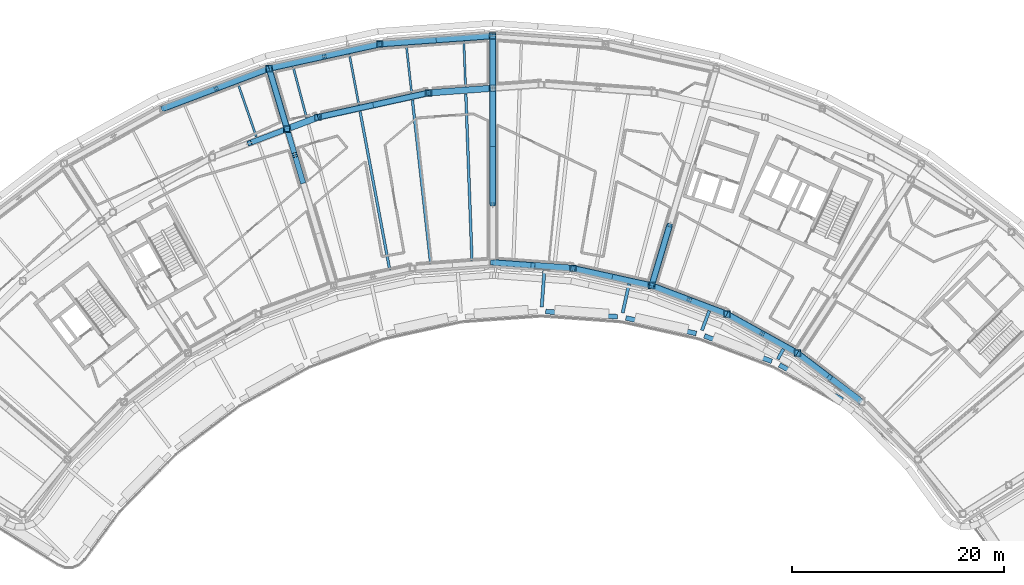
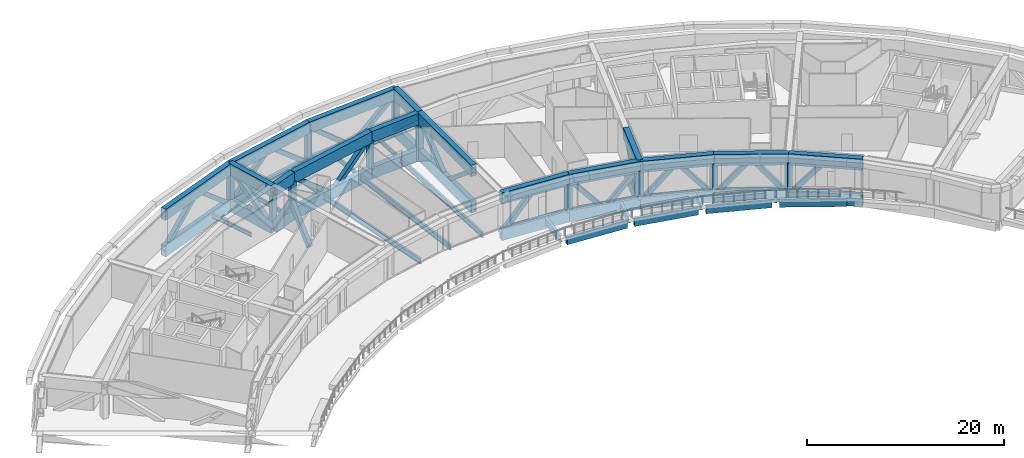
# One storey, part 3 of 24: 46 beams, 35 members.
"""IFC4 building model written with IfcOpenShell, lengths in metres."""

from ifc_helpers import new_model, si_unit, direction, frame, origin, origin_2d, place, context, subcontext, project, spatial, hollow_rectangle, i_section, extrude, material, material_profile, profile_set, type_object, element, save


model = new_model("IFC4")

# Units and contexts
model_context = context("Model", 3, precision=1e-05, world=origin(), true_north=direction((0.0, 1.0)))
body_context = subcontext(model_context, "Body", "Model", "MODEL_VIEW")
ifc_project = project(units=[si_unit("LENGTHUNIT", "METRE"), si_unit("AREAUNIT", "SQUARE_METRE"), si_unit("VOLUMEUNIT", "CUBIC_METRE"), si_unit("PLANEANGLEUNIT", "RADIAN"), si_unit("MASSUNIT", "GRAM", prefix="KILO")], contexts=[model_context])

# Site, building, storey
site_placement = place(None, origin())
site = spatial("IfcSite", under=ifc_project, at=site_placement, CompositionType="ELEMENT")
building_placement = place(site_placement, origin())
building = spatial("IfcBuilding", under=site, at=building_placement, Name="Tuul Gate Civic Tower", CompositionType="ELEMENT")
storey_placement = place(building_placement, frame((0.0, 0.0, 315.199951171875)))
storey = spatial("IfcBuildingStorey", under=building, at=storey_placement, Name="Plant and refuge floor 7", CompositionType="ELEMENT", Elevation=315.199951171875)

# Beams
ifc_material_1 = material(Name="Steel S355", Category="steel")
ifc_material_profile_1 = material_profile(ifc_material_1, i_section(OverallWidth=0.199951171875, OverallDepth=0.5, WebThickness=0.010009765625, FlangeThickness=0.01611328125, at=origin_2d()), Name="PG500x200x10x16")
ifc_profile_set_1 = profile_set([ifc_material_profile_1], Name="Steel S355")
beam_type_1 = type_object("IfcBeamType", Name="STR-FLOOR BEAM-PG500x200x10x16", PredefinedType="BEAM", material=ifc_profile_set_1)
beam_1_placement = place(storey_placement, frame((-0.367431640625, 9.064208984375, -0.64990234375), z_axis=(-0.037035203855, 0.999313961513, 0.0), x_axis=(-0.999313961513, -0.037035203855, 0.0)))
element("IfcBeam", 1, at=beam_1_placement, inside=storey, type_object=beam_type_1, Name="Floor beam", PredefinedType="BEAM", context=body_context, shape_type="SweptSolid", body=[
    extrude(i_section(OverallWidth=0.199951171875, OverallDepth=0.5, WebThickness=0.010009765625, FlangeThickness=0.01611328125, at=origin_2d()), origin(), (0.0, 0.0, 1.0), 4.218994140625),
])
beam_2_placement = place(storey_placement, frame((-5.448486328125, 8.468505859375, -0.64990234375), z_axis=(-0.11075092853, 0.993848193554, 0.0), x_axis=(-0.993848193554, -0.11075092853, 0.0)))
element("IfcBeam", 2, at=beam_2_placement, inside=storey, type_object=beam_type_1, Name="Floor beam", PredefinedType="BEAM", context=body_context, shape_type="SweptSolid", body=[
    extrude(i_section(OverallWidth=0.199951171875, OverallDepth=0.5, WebThickness=0.010009765625, FlangeThickness=0.01611328125, at=origin_2d()), origin(), (0.0, 0.0, 1.0), 4.4462890625),
])
beam_3_placement = place(storey_placement, frame((-10.430908203125, 7.370361328125, -0.64990234375), z_axis=(-0.183970898908, 0.982931690584, 0.0), x_axis=(-0.982931690584, -0.183970898908, 0.0)))
element("IfcBeam", 3, at=beam_3_placement, inside=storey, type_object=beam_type_1, Name="Floor beam", PredefinedType="BEAM", context=body_context, shape_type="SweptSolid", body=[
    extrude(i_section(OverallWidth=0.199951171875, OverallDepth=0.5, WebThickness=0.010009765625, FlangeThickness=0.01611328125, at=origin_2d()), origin(), (0.0, 0.0, 1.0), 4.780029296875),
])
beam_4_placement = place(storey_placement, frame((-15.351806640625, 6.134033203125, -0.64990234375), z_axis=(-0.256155231032, 0.966635659188, 0.0), x_axis=(-0.966635659188, -0.256155231032, 0.0)))
element("IfcBeam", 4, at=beam_4_placement, inside=storey, type_object=beam_type_1, Name="Floor beam", PredefinedType="BEAM", context=body_context, shape_type="SweptSolid", body=[
    extrude(i_section(OverallWidth=0.199951171875, OverallDepth=0.5, WebThickness=0.010009765625, FlangeThickness=0.01611328125, at=origin_2d()), origin(), (0.0, 0.0, 1.0), 4.930419921875),
])
beam_5_placement = place(storey_placement, frame((-20.090576171875, 4.341796875, -0.64990234375), z_axis=(-0.326940517435, 0.94504491854, 0.0), x_axis=(-0.94504491854, -0.326940517435, 0.0)))
element("IfcBeam", 5, at=beam_5_placement, inside=storey, type_object=beam_type_1, Name="Floor beam", PredefinedType="BEAM", context=body_context, shape_type="SweptSolid", body=[
    extrude(i_section(OverallWidth=0.199951171875, OverallDepth=0.5, WebThickness=0.010009765625, FlangeThickness=0.01611328125, at=origin_2d()), origin(), (0.0, 0.0, 1.0), 5.227294921875),
])
ifc_material_2 = material(Name="Steel S355", Category="steel")
ifc_material_profile_2 = material_profile(ifc_material_2, i_section(OverallWidth=0.25, OverallDepth=0.64990234375, WebThickness=0.011962890625, FlangeThickness=0.02001953125, at=origin_2d()), Name="PG650x250x12x20")
ifc_profile_set_2 = profile_set([ifc_material_profile_2], Name="Steel S355")
beam_type_2 = type_object("IfcBeamType", Name="STR-FLOOR BEAM-PG650x250x12x20", PredefinedType="BEAM", material=ifc_profile_set_2)
beam_6_placement = place(storey_placement, frame((0.239013671875, -7.318603515625, -0.724853515625), z_axis=(-0.03699382358, 0.999315494234, 0.0), x_axis=(-0.999315494234, -0.03699382358, 0.0)))
element("IfcBeam", 6, at=beam_6_placement, inside=storey, type_object=beam_type_2, Name="Floor beam", PredefinedType="BEAM", context=body_context, shape_type="SweptSolid", body=[
    extrude(i_section(OverallWidth=0.25, OverallDepth=0.64990234375, WebThickness=0.011962890625, FlangeThickness=0.02001953125, at=origin_2d()), origin(), (0.0, 0.0, 1.0), 15.693603515625),
])
beam_7_placement = place(storey_placement, frame((-3.656982421875, -7.60107421875, -0.724853515625), z_axis=(-0.11078844396, 0.99384401225, 0.0), x_axis=(-0.99384401225, -0.11078844396, 0.0)))
element("IfcBeam", 7, at=beam_7_placement, inside=storey, type_object=beam_type_2, Name="Floor beam", PredefinedType="BEAM", context=body_context, shape_type="SweptSolid", body=[
    extrude(i_section(OverallWidth=0.25, OverallDepth=0.64990234375, WebThickness=0.011962890625, FlangeThickness=0.02001953125, at=origin_2d()), origin(), (0.0, 0.0, 1.0), 15.46533203125),
])
beam_8_placement = place(storey_placement, frame((-7.5185546875, -8.189697265625, -0.724853515625), z_axis=(-0.183967994769, 0.982932234134, 0.0), x_axis=(-0.982932234134, -0.183967994769, 0.0)))
element("IfcBeam", 8, at=beam_8_placement, inside=storey, type_object=beam_type_2, Name="Floor beam", PredefinedType="BEAM", context=body_context, shape_type="SweptSolid", body=[
    extrude(i_section(OverallWidth=0.25, OverallDepth=0.64990234375, WebThickness=0.011962890625, FlangeThickness=0.02001953125, at=origin_2d()), origin(), (0.0, 0.0, 1.0), 15.130126953125),
])
ifc_material_3 = material(Name="Steel S355", Category="steel")
ifc_material_profile_3 = material_profile(ifc_material_3, i_section(OverallWidth=0.300048828125, OverallDepth=0.800048828125, WebThickness=0.013916015625, FlangeThickness=0.02490234375, at=origin_2d()), Name="PG800x300x14x25")
ifc_profile_set_3 = profile_set([ifc_material_profile_3], Name="Steel S355")
beam_type_3 = type_object("IfcBeamType", Name="STR-FLOOR BEAM-PG800x300x14x25", PredefinedType="BEAM", material=ifc_profile_set_3)
beam_9_placement = place(storey_placement, frame((6.81689453125, -11.72509765625, -0.800048828125), z_axis=(0.072311918257, 0.997382066451, 0.0), x_axis=(-0.997382066451, 0.072311918257, 0.0)))
element("IfcBeam", 9, at=beam_9_placement, inside=storey, type_object=beam_type_3, Name="Terrace beam", PredefinedType="BEAM", context=body_context, shape_type="SweptSolid", body=[
    extrude(i_section(OverallWidth=0.300048828125, OverallDepth=0.800048828125, WebThickness=0.013916015625, FlangeThickness=0.02490234375, at=origin_2d()), origin(), (0.0, 0.0, 1.0), 3.5517578125),
])
beam_10_placement = place(storey_placement, frame((14.446044921875, -12.282470703125, -0.800048828125), z_axis=(0.215111285855, 0.976589542591, 0.0), x_axis=(-0.976589542591, 0.215111285855, 0.0)))
element("IfcBeam", 10, at=beam_10_placement, inside=storey, type_object=beam_type_3, Name="Terrace beam", PredefinedType="BEAM", context=body_context, shape_type="SweptSolid", body=[
    extrude(i_section(OverallWidth=0.300048828125, OverallDepth=0.800048828125, WebThickness=0.013916015625, FlangeThickness=0.02490234375, at=origin_2d()), origin(), (0.0, 0.0, 1.0), 2.7998046875),
])
beam_11_placement = place(storey_placement, frame((21.91552734375, -13.932861328125, -0.800048828125), z_axis=(0.353792658171, 0.935323877074, 0.0), x_axis=(-0.935323877074, 0.353792658171, 0.0)))
element("IfcBeam", 11, at=beam_11_placement, inside=storey, type_object=beam_type_3, Name="Terrace beam", PredefinedType="BEAM", context=body_context, shape_type="SweptSolid", body=[
    extrude(i_section(OverallWidth=0.300048828125, OverallDepth=0.800048828125, WebThickness=0.013916015625, FlangeThickness=0.02490234375, at=origin_2d()), origin(), (0.0, 0.0, 1.0), 1.9736328125),
])
beam_12_placement = place(storey_placement, frame((29.06884765625, -16.64208984375, -0.800048828125), z_axis=(0.484731454546, 0.874663030528, 0.0), x_axis=(-0.874663030528, 0.484731454546, 0.0)))
element("IfcBeam", 12, at=beam_12_placement, inside=storey, type_object=beam_type_3, Name="Terrace beam", PredefinedType="BEAM", context=body_context, shape_type="SweptSolid", body=[
    extrude(i_section(OverallWidth=0.300048828125, OverallDepth=0.800048828125, WebThickness=0.013916015625, FlangeThickness=0.02490234375, at=origin_2d()), origin(), (0.0, 0.0, 1.0), 1.092041015625),
])
ifc_material_4 = material(Name="Steel S355", Category="steel")
ifc_material_profile_4 = material_profile(ifc_material_4, hollow_rectangle(XDim=0.449951171875, YDim=0.89990234375, WallThickness=0.02490234375, at=origin_2d()), Name="BOX900x450x25")
ifc_profile_set_4 = profile_set([ifc_material_profile_4], Name="Steel S355")
beam_type_4 = type_object("IfcBeamType", Name="STR-SPANDREL BEAM-BOX900x450x25", PredefinedType="BEAM", material=ifc_profile_set_4)
for number, where, z_axis, x_axis, name in (
    (13, (7.18701171875, -12.15283203125, -0.849853515625), (0.997381114382, -0.072325048733, 0.0), (0.072325048733, 0.997381114382, 0.0), "Terrace edge beam"),
    (14, (14.750732421875, -12.759033203125, -0.849853515625), (0.976559454542, -0.215247837958, 0.0), (0.215247837958, 0.976559454542, 0.0), "Terrace edge beam"),
):
    element("IfcBeam", number, at=place(storey_placement, frame(where, z_axis=z_axis, x_axis=x_axis)), inside=storey, type_object=beam_type_4, Name=name, PredefinedType="BEAM", context=body_context, shape_type="SweptSolid", body=[
        extrude(hollow_rectangle(XDim=0.449951171875, YDim=0.89990234375, WallThickness=0.02490234375, at=origin_2d()), origin(), (0.0, 0.0, 1.0), 6.791748046875),
    ])
for number, where, z_axis, x_axis, name in (
    (15, (22.148193359375, -14.448486328125, -0.849853515625), (0.935362449754, -0.353690666531, 0.0), (0.353690666531, 0.935362449754, 0.0), "Terrace edge beam"),
    (16, (29.224853515625, -17.185791015625, -0.849853515625), (0.87464856826, -0.484757549751, 0.0), (0.484757549751, 0.87464856826, 0.0), "Terrace edge beam"),
):
    element("IfcBeam", number, at=place(storey_placement, frame(where, z_axis=z_axis, x_axis=x_axis)), inside=storey, type_object=beam_type_4, Name=name, PredefinedType="BEAM", context=body_context, shape_type="SweptSolid", body=[
        extrude(hollow_rectangle(XDim=0.449951171875, YDim=0.89990234375, WallThickness=0.02490234375, at=origin_2d()), origin(), (0.0, 0.0, 1.0), 6.79150390625),
    ])
ifc_material_5 = material(Name="Steel S460", Category="steel")
ifc_material_profile_5 = material_profile(ifc_material_5, hollow_rectangle(XDim=0.60009765625, YDim=1.39990234375, WallThickness=0.031982421875, at=origin_2d()), Name="BOX1400x600x32")
ifc_profile_set_5 = profile_set([ifc_material_profile_5], Name="Steel S460")
beam_type_5 = type_object("IfcBeamType", Name="STR-TRANSFER TRUSS CHORD-BOX1400x600x32", PredefinedType="BEAM", material=ifc_profile_set_5)
beam_13_placement = place(storey_placement, frame((2.19189453125, 13.827880859375, -1.099853515625), z_axis=(0.0, -1.0, 0.0), x_axis=(1.0, 0.0, 0.0)))
element("IfcBeam", 17, at=beam_13_placement, inside=storey, type_object=beam_type_5, Name="Radial truss bottom chord", PredefinedType="BEAM", context=body_context, shape_type="SweptSolid", body=[
    extrude(hollow_rectangle(XDim=0.60009765625, YDim=1.39990234375, WallThickness=0.031982421875, at=origin_2d()), origin(), (0.0, 0.0, 1.0), 4.928955078125),
])
beam_14_placement = place(storey_placement, frame((2.19189453125, 8.89892578125, -1.099853515625), z_axis=(0.0, -1.0, 0.0), x_axis=(1.0, 0.0, 0.0)))
element("IfcBeam", 18, at=beam_14_placement, inside=storey, type_object=beam_type_5, Name="Radial truss bottom chord", PredefinedType="BEAM", context=body_context, shape_type="SweptSolid", body=[
    extrude(hollow_rectangle(XDim=0.60009765625, YDim=1.39990234375, WallThickness=0.031982421875, at=origin_2d()), origin(), (0.0, 0.0, 1.0), 10.951416015625),
])
beam_15_placement = place(storey_placement, frame((2.19189453125, 13.827880859375, 3.400146484375), z_axis=(0.0, -1.0, 0.0), x_axis=(1.0, 0.0, 0.0)))
element("IfcBeam", 19, at=beam_15_placement, inside=storey, type_object=beam_type_5, Name="Radial truss top chord", PredefinedType="BEAM", context=body_context, shape_type="SweptSolid", body=[
    extrude(hollow_rectangle(XDim=0.60009765625, YDim=1.39990234375, WallThickness=0.031982421875, at=origin_2d()), origin(), (0.0, 0.0, 1.0), 4.928955078125),
])
beam_16_placement = place(storey_placement, frame((2.19189453125, 8.89892578125, 3.400146484375), z_axis=(0.0, -1.0, 0.0), x_axis=(1.0, 0.0, 0.0)))
element("IfcBeam", 20, at=beam_16_placement, inside=storey, type_object=beam_type_5, Name="Radial truss top chord", PredefinedType="BEAM", context=body_context, shape_type="SweptSolid", body=[
    extrude(hollow_rectangle(XDim=0.60009765625, YDim=1.39990234375, WallThickness=0.031982421875, at=origin_2d()), origin(), (0.0, 0.0, 1.0), 10.951416015625),
])
for number, where, z_axis, x_axis, name in (
    (21, (-18.885009765625, 10.758056640625, -1.099853515625), (0.2852243799, -0.95846077286, 0.0), (0.95846077286, 0.2852243799, 0.0), "Radial truss bottom chord"),
    (22, (-18.885009765625, 10.758056640625, 3.400146484375), (0.2852243799, -0.95846077286, 0.0), (0.95846077286, 0.2852243799, 0.0), "Radial truss top chord"),
):
    element("IfcBeam", number, at=place(storey_placement, frame(where, z_axis=z_axis, x_axis=x_axis)), inside=storey, type_object=beam_type_5, Name=name, PredefinedType="BEAM", context=body_context, shape_type="SweptSolid", body=[
        extrude(hollow_rectangle(XDim=0.60009765625, YDim=1.39990234375, WallThickness=0.031982421875, at=origin_2d()), origin(), (0.0, 0.0, 1.0), 5.9404296875),
    ])
for number, where, z_axis, x_axis, name in (
    (23, (18.874755859375, -4.00830078125, -1.099853515625), (-0.28523115362, -0.95845875707, 0.0), (0.95845875707, -0.28523115362, 0.0), "Radial truss bottom chord"),
    (24, (18.874755859375, -4.00830078125, 3.400146484375), (-0.28523115362, -0.95845875707, 0.0), (0.95845875707, -0.28523115362, 0.0), "Radial truss top chord"),
):
    element("IfcBeam", number, at=place(storey_placement, frame(where, z_axis=z_axis, x_axis=x_axis)), inside=storey, type_object=beam_type_5, Name=name, PredefinedType="BEAM", context=body_context, shape_type="SweptSolid", body=[
        extrude(hollow_rectangle(XDim=0.60009765625, YDim=1.39990234375, WallThickness=0.031982421875, at=origin_2d()), origin(), (0.0, 0.0, 1.0), 5.94873046875),
    ])
for number, where, z_axis, x_axis, name in (
    (25, (-14.2880859375, 6.162109375, -1.099853515625), (-0.935333785518, -0.353766462046, 0.0), (0.353766462046, -0.935333785518, 0.0), "Belt truss bottom chord"),
    (26, (-14.2880859375, 6.162109375, 3.400146484375), (-0.935333785518, -0.353766462046, 0.0), (0.353766462046, -0.935333785518, 0.0), "Belt truss top chord"),
):
    element("IfcBeam", number, at=place(storey_placement, frame(where, z_axis=z_axis, x_axis=x_axis)), inside=storey, type_object=beam_type_5, Name=name, PredefinedType="BEAM", context=body_context, shape_type="SweptSolid", body=[
        extrude(hollow_rectangle(XDim=0.60009765625, YDim=1.39990234375, WallThickness=0.031982421875, at=origin_2d()), origin(), (0.0, 0.0, 1.0), 2.802490234375),
    ])
for number, where, z_axis, x_axis, name in (
    (27, (-8.45703125, 13.055908203125, -1.099853515625), (-0.9765717726, -0.21519194446, 0.0), (0.21519194446, -0.9765717726, 0.0), "Belt truss bottom chord"),
    (28, (-8.45703125, 13.055908203125, 3.400146484375), (-0.9765717726, -0.21519194446, 0.0), (0.21519194446, -0.9765717726, 0.0), "Belt truss top chord"),
):
    element("IfcBeam", number, at=place(storey_placement, frame(where, z_axis=z_axis, x_axis=x_axis)), inside=storey, type_object=beam_type_5, Name=name, PredefinedType="BEAM", context=body_context, shape_type="SweptSolid", body=[
        extrude(hollow_rectangle(XDim=0.60009765625, YDim=1.39990234375, WallThickness=0.031982421875, at=origin_2d()), origin(), (0.0, 0.0, 1.0), 10.67822265625),
    ])
for number, where, z_axis, x_axis, name in (
    (29, (-3.861083984375, 8.4599609375, -1.099853515625), (-0.976567537007, -0.215211165288, 0.0), (0.215211165288, -0.976567537007, 0.0), "Belt truss bottom chord"),
    (30, (-3.861083984375, 8.4599609375, 3.400146484375), (-0.976567537007, -0.215211165288, 0.0), (0.215211165288, -0.976567537007, 0.0), "Belt truss top chord"),
):
    element("IfcBeam", number, at=place(storey_placement, frame(where, z_axis=z_axis, x_axis=x_axis)), inside=storey, type_object=beam_type_5, Name=name, PredefinedType="BEAM", context=body_context, shape_type="SweptSolid", body=[
        extrude(hollow_rectangle(XDim=0.60009765625, YDim=1.39990234375, WallThickness=0.031982421875, at=origin_2d()), origin(), (0.0, 0.0, 1.0), 10.67724609375),
    ])
for number, where, z_axis, x_axis, name in (
    (31, (-18.885009765625, 10.758056640625, -1.099853515625), (-0.935371936658, -0.353665576657, 0.0), (0.353665576657, -0.935371936658, 0.0), "Belt truss bottom chord"),
    (32, (-18.885009765625, 10.758056640625, 3.400146484375), (-0.935371936658, -0.353665576657, 0.0), (0.353665576657, -0.935371936658, 0.0), "Belt truss top chord"),
):
    element("IfcBeam", number, at=place(storey_placement, frame(where, z_axis=z_axis, x_axis=x_axis)), inside=storey, type_object=beam_type_5, Name=name, PredefinedType="BEAM", context=body_context, shape_type="SweptSolid", body=[
        extrude(hollow_rectangle(XDim=0.60009765625, YDim=1.39990234375, WallThickness=0.031982421875, at=origin_2d()), origin(), (0.0, 0.0, 1.0), 10.677001953125),
    ])
for number, where, z_axis, x_axis, name in (
    (33, (2.19189453125, 13.827880859375, -1.099853515625), (-0.997382693351, -0.072303271044, 0.0), (0.072303271044, -0.997382693351, 0.0), "Belt truss bottom chord"),
    (34, (2.19189453125, 13.827880859375, 3.400146484375), (-0.997382693351, -0.072303271044, 0.0), (0.072303271044, -0.997382693351, 0.0), "Belt truss top chord"),
):
    element("IfcBeam", number, at=place(storey_placement, frame(where, z_axis=z_axis, x_axis=x_axis)), inside=storey, type_object=beam_type_5, Name=name, PredefinedType="BEAM", context=body_context, shape_type="SweptSolid", body=[
        extrude(hollow_rectangle(XDim=0.60009765625, YDim=1.39990234375, WallThickness=0.031982421875, at=origin_2d()), origin(), (0.0, 0.0, 1.0), 10.6767578125),
    ])
for number, where, z_axis, x_axis, name in (
    (35, (1.89208984375, 8.876953125, -1.099853515625), (-0.99738360198, -0.07229073593, 0.0), (0.07229073593, -0.99738360198, 0.0), "Belt truss bottom chord"),
    (36, (1.89208984375, 8.876953125, 3.400146484375), (-0.99738360198, -0.07229073593, 0.0), (0.07229073593, -0.99738360198, 0.0), "Belt truss top chord"),
):
    element("IfcBeam", number, at=place(storey_placement, frame(where, z_axis=z_axis, x_axis=x_axis)), inside=storey, type_object=beam_type_5, Name=name, PredefinedType="BEAM", context=body_context, shape_type="SweptSolid", body=[
        extrude(hollow_rectangle(XDim=0.60009765625, YDim=1.39990234375, WallThickness=0.031982421875, at=origin_2d()), origin(), (0.0, 0.0, 1.0), 5.768310546875),
    ])
for number, where, z_axis, x_axis, name in (
    (37, (17.177978515625, -9.7099609375, -1.099853515625), (0.935323649079, -0.353793260922, 0.0), (0.353793260922, 0.935323649079, 0.0), "Belt truss bottom chord"),
    (38, (17.177978515625, -9.7099609375, 3.400146484375), (0.935323649079, -0.353793260922, 0.0), (0.353793260922, 0.935323649079, 0.0), "Belt truss top chord"),
):
    element("IfcBeam", number, at=place(storey_placement, frame(where, z_axis=z_axis, x_axis=x_axis)), inside=storey, type_object=beam_type_5, Name=name, PredefinedType="BEAM", context=body_context, shape_type="SweptSolid", body=[
        extrude(hollow_rectangle(XDim=0.60009765625, YDim=1.39990234375, WallThickness=0.031982421875, at=origin_2d()), origin(), (0.0, 0.0, 1.0), 7.592041015625),
    ])
for number, where, z_axis, x_axis, name in (
    (39, (2.19189453125, -7.528076171875, -1.099853515625), (0.997383552783, -0.072291414691, 0.0), (0.072291414691, 0.997383552783, 0.0), "Belt truss bottom chord"),
    (40, (2.19189453125, -7.528076171875, 3.400146484375), (0.997383552783, -0.072291414691, 0.0), (0.072291414691, 0.997383552783, 0.0), "Belt truss top chord"),
    (41, (9.763916015625, -8.076904296875, -1.099853515625), (0.976590179554, -0.215108394067, 0.0), (0.215108394067, 0.976590179554, 0.0), "Belt truss bottom chord"),
    (42, (9.763916015625, -8.076904296875, 3.400146484375), (0.976590179554, -0.215108394067, 0.0), (0.215108394067, 0.976590179554, 0.0), "Belt truss top chord"),
    (43, (30.9189453125, -16.075927734375, -1.099853515625), (0.795610335584, -0.60580871066, 0.0), (0.60580871066, 0.795610335584, 0.0), "Belt truss bottom chord"),
    (44, (30.9189453125, -16.075927734375, 3.400146484375), (0.795610335584, -0.60580871066, 0.0), (0.60580871066, 0.795610335584, 0.0), "Belt truss top chord"),
):
    element("IfcBeam", number, at=place(storey_placement, frame(where, z_axis=z_axis, x_axis=x_axis)), inside=storey, type_object=beam_type_5, Name=name, PredefinedType="BEAM", context=body_context, shape_type="SweptSolid", body=[
        extrude(hollow_rectangle(XDim=0.60009765625, YDim=1.39990234375, WallThickness=0.031982421875, at=origin_2d()), origin(), (0.0, 0.0, 1.0), 7.591796875),
    ])
for number, where, z_axis, x_axis, name in (
    (45, (24.279052734375, -12.39599609375, -1.099853515625), (0.874654386478, -0.484747051785, 0.0), (0.484747051785, 0.874654386478, 0.0), "Belt truss bottom chord"),
    (46, (24.279052734375, -12.39599609375, 3.400146484375), (0.874654386478, -0.484747051785, 0.0), (0.484747051785, 0.874654386478, 0.0), "Belt truss top chord"),
):
    element("IfcBeam", number, at=place(storey_placement, frame(where, z_axis=z_axis, x_axis=x_axis)), inside=storey, type_object=beam_type_5, Name=name, PredefinedType="BEAM", context=body_context, shape_type="SweptSolid", body=[
        extrude(hollow_rectangle(XDim=0.60009765625, YDim=1.39990234375, WallThickness=0.031982421875, at=origin_2d()), origin(), (0.0, 0.0, 1.0), 7.591552734375),
    ])

# Members
ifc_material_6 = material(Name="Steel S355", Category="steel")
ifc_material_profile_6 = material_profile(ifc_material_6, hollow_rectangle(XDim=0.5, YDim=0.5, WallThickness=0.02001953125, at=origin_2d()), Name="BOX500x500x20")
ifc_profile_set_6 = profile_set([ifc_material_profile_6], Name="Steel S355")
member_type_1 = type_object("IfcMemberType", Name="STR-TRANSFER TRUSS DIAGONAL-BOX500x500x20", PredefinedType="BRACE", material=ifc_profile_set_6)
member_1_placement = place(storey_placement, frame((2.19189453125, 13.831787109375, -1.103271484375), z_axis=(0.0, -0.73855191132, 0.674196613968), x_axis=(1.0, 0.0, 0.0)))
element("IfcMember", 47, at=member_1_placement, inside=storey, type_object=member_type_1, Name="Radial truss web", PredefinedType="BRACE", context=body_context, shape_type="SweptSolid", body=[
    extrude(hollow_rectangle(XDim=0.5, YDim=0.5, WallThickness=0.02001953125, at=origin_2d()), origin(), (0.0, 0.0, 1.0), 6.684326171875),
])
for number, where, z_axis, x_axis, name in (
    (48, (2.19189453125, 3.41943359375, -1.10302734375), (0.0, 0.772565343361, 0.634935264604), (-1.0, 0.0, 0.0), "Radial truss web"),
    (49, (2.19189453125, 3.427001953125, -1.10302734375), (0.0, -0.772565343361, 0.634935264604), (1.0, 0.0, 0.0), "Radial truss web"),
):
    element("IfcMember", number, at=place(storey_placement, frame(where, z_axis=z_axis, x_axis=x_axis)), inside=storey, type_object=member_type_1, Name=name, PredefinedType="BRACE", context=body_context, shape_type="SweptSolid", body=[
        extrude(hollow_rectangle(XDim=0.5, YDim=0.5, WallThickness=0.02001953125, at=origin_2d()), origin(), (0.0, 0.0, 1.0), 7.097412109375),
    ])
member_2_placement = place(storey_placement, frame((-17.189453125, 5.060546875, -1.10302734375), z_axis=(-0.227376958141, 0.763986579355, 0.603841225383), x_axis=(-0.958452078441, -0.285253594774, 0.0)))
element("IfcMember", 50, at=member_2_placement, inside=storey, type_object=member_type_1, Name="Radial truss web", PredefinedType="BRACE", context=body_context, shape_type="SweptSolid", body=[
    extrude(hollow_rectangle(XDim=0.5, YDim=0.5, WallThickness=0.02001953125, at=origin_2d()), origin(), (0.0, 0.0, 1.0), 7.46240234375),
])
member_3_placement = place(storey_placement, frame((17.1767578125, -9.7138671875, -1.10302734375), z_axis=(0.227493812012, 0.764392282719, 0.603283518436), x_axis=(-0.958453412374, 0.285249112722, 0.0)))
element("IfcMember", 51, at=member_3_placement, inside=storey, type_object=member_type_1, Name="Radial truss web", PredefinedType="BRACE", context=body_context, shape_type="SweptSolid", body=[
    extrude(hollow_rectangle(XDim=0.5, YDim=0.5, WallThickness=0.02001953125, at=origin_2d()), origin(), (0.0, 0.0, 1.0), 7.46923828125),
])
member_4_placement = place(storey_placement, frame((-17.187744140625, 5.0654296875, -1.103759765625), z_axis=(-0.602311669124, -0.227747157448, 0.765082927212), x_axis=(0.353682130289, -0.935365677537, 0.0)))
element("IfcMember", 52, at=member_4_placement, inside=storey, type_object=member_type_1, Name="Belt truss web", PredefinedType="BRACE", context=body_context, shape_type="SweptSolid", body=[
    extrude(hollow_rectangle(XDim=0.5, YDim=0.5, WallThickness=0.02001953125, at=origin_2d()), origin(), (0.0, 0.0, 1.0), 5.8916015625),
])
for number, where, z_axis, x_axis, name in (
    (53, (-8.453369140625, 13.056884765625, -1.103271484375), (-0.746706722822, -0.16454990343, 0.644478393256), (0.215204102376, -0.97656909347, 0.0), "Belt truss web"),
    (54, (-18.888671875, 10.757080078125, -1.103271484375), (0.746706722822, 0.16454990343, 0.644478393256), (-0.215204102376, 0.97656909347, 0.0), "Belt truss web"),
):
    element("IfcMember", number, at=place(storey_placement, frame(where, z_axis=z_axis, x_axis=x_axis)), inside=storey, type_object=member_type_1, Name=name, PredefinedType="BRACE", context=body_context, shape_type="SweptSolid", body=[
        extrude(hollow_rectangle(XDim=0.5, YDim=0.5, WallThickness=0.02001953125, at=origin_2d()), origin(), (0.0, 0.0, 1.0), 6.99267578125),
    ])
for number, where, z_axis, x_axis, name in (
    (55, (-9.078125, 7.31005859375, -1.103271484375), (0.746671535832, 0.164592453585, 0.644508294595), (-0.215266846717, 0.976555264542, 0.0), "Belt truss web"),
    (56, (-9.07080078125, 7.311767578125, -1.103271484375), (-0.746675826427, -0.164558483514, 0.64451199813), (0.215223296771, -0.976564863451, 0.0), "Belt truss web"),
    (57, (-18.88134765625, 10.75927734375, -1.103271484375), (-0.715185100828, -0.270389758376, 0.644515050343), (0.35363944655, -0.935381816075, 0.0), "Belt truss web"),
):
    element("IfcMember", number, at=place(storey_placement, frame(where, z_axis=z_axis, x_axis=x_axis)), inside=storey, type_object=member_type_1, Name=name, PredefinedType="BRACE", context=body_context, shape_type="SweptSolid", body=[
        extrude(hollow_rectangle(XDim=0.5, YDim=0.5, WallThickness=0.02001953125, at=origin_2d()), origin(), (0.0, 0.0, 1.0), 6.9921875),
    ])
member_5_placement = place(storey_placement, frame((-28.87548828125, 6.980712890625, -1.103271484375), z_axis=(0.715168043348, 0.270396510482, 0.644531145014), x_axis=(-0.353654552993, 0.935376104649, 0.0)))
element("IfcMember", 58, at=member_5_placement, inside=storey, type_object=member_type_1, Name="Belt truss web", PredefinedType="BRACE", context=body_context, shape_type="SweptSolid", body=[
    extrude(hollow_rectangle(XDim=0.5, YDim=0.5, WallThickness=0.02001953125, at=origin_2d()), origin(), (0.0, 0.0, 1.0), 6.991943359375),
])
for number, where, z_axis, x_axis, name in (
    (59, (-3.13623046875, 13.441650390625, -1.103271484375), (0.762579251632, 0.055307945723, 0.644526117485), (-0.07233746606, 0.997380213862, 0.0), "Belt truss web"),
    (60, (-3.128662109375, 13.4423828125, -1.103271484375), (-0.762579251632, -0.055307945723, 0.644526117485), (0.07233746606, -0.997380213862, 0.0), "Belt truss web"),
):
    element("IfcMember", number, at=place(storey_placement, frame(where, z_axis=z_axis, x_axis=x_axis)), inside=storey, type_object=member_type_1, Name=name, PredefinedType="BRACE", context=body_context, shape_type="SweptSolid", body=[
        extrude(hollow_rectangle(XDim=0.5, YDim=0.5, WallThickness=0.02001953125, at=origin_2d()), origin(), (0.0, 0.0, 1.0), 6.9921875),
    ])
for number, where, z_axis, x_axis, name in (
    (61, (17.175048828125, -9.708740234375, -1.103759765625), (0.603070290151, -0.228154072151, 0.764363751429), (0.353845039151, 0.935304061933, 0.0), "Belt truss web"),
    (62, (24.281982421875, -12.397216796875, -1.103759765625), (-0.603070290151, 0.228154072151, 0.764363751429), (-0.353845039151, -0.935304061933, 0.0), "Belt truss web"),
    (63, (2.188720703125, -7.52783203125, -1.103759765625), (0.643101420115, -0.046615952044, 0.764360854872), (0.072296476587, 0.997383185878, 0.0), "Belt truss web"),
    (64, (13.47412109375, -8.894287109375, -1.103759765625), (-0.629691419874, 0.138689431728, 0.764365068056), (-0.215094500527, -0.976593239708, 0.0), "Belt truss web"),
    (65, (13.4677734375, -8.892822265625, -1.103759765625), (0.629691419874, -0.138689431728, 0.764365068056), (0.215094500527, 0.976593239708, 0.0), "Belt truss web"),
):
    element("IfcMember", number, at=place(storey_placement, frame(where, z_axis=z_axis, x_axis=x_axis)), inside=storey, type_object=member_type_1, Name=name, PredefinedType="BRACE", context=body_context, shape_type="SweptSolid", body=[
        extrude(hollow_rectangle(XDim=0.5, YDim=0.5, WallThickness=0.02001953125, at=origin_2d()), origin(), (0.0, 0.0, 1.0), 5.897216796875),
    ])
for number, where, z_axis, x_axis, name in (
    (66, (30.91650390625, -16.073974609375, -1.103759765625), (0.512989911448, -0.390610912316, 0.764371942141), (0.605809108227, 0.795610032861, 0.0), "Belt truss web"),
    (67, (24.276123046875, -12.39453125, -1.103759765625), (0.563958307517, -0.312532760494, 0.764378375545), (0.48472130847, 0.874668653328, 0.0), "Belt truss web"),
):
    element("IfcMember", number, at=place(storey_placement, frame(where, z_axis=z_axis, x_axis=x_axis)), inside=storey, type_object=member_type_1, Name=name, PredefinedType="BRACE", context=body_context, shape_type="SweptSolid", body=[
        extrude(hollow_rectangle(XDim=0.5, YDim=0.5, WallThickness=0.02001953125, at=origin_2d()), origin(), (0.0, 0.0, 1.0), 5.89697265625),
    ])
member_6_placement = place(storey_placement, frame((30.921875, -16.07763671875, -1.103759765625), z_axis=(-0.563951010102, 0.312570116449, 0.764368484769), x_axis=(-0.484770429734, -0.874641429647, 0.0)))
element("IfcMember", 68, at=member_6_placement, inside=storey, type_object=member_type_1, Name="Belt truss web", PredefinedType="BRACE", context=body_context, shape_type="SweptSolid", body=[
    extrude(hollow_rectangle(XDim=0.5, YDim=0.5, WallThickness=0.02001953125, at=origin_2d()), origin(), (0.0, 0.0, 1.0), 5.897216796875),
])
for number, where, z_axis, x_axis, name in (
    (69, (-17.19140625, 5.066650390625, -1.104248046875), (0.141408734083, -0.475202945763, 0.868438673864), (0.958463500227, 0.285215214763, 0.0), "Radial truss web"),
    (70, (-15.724365234375, 0.13720703125, -1.104248046875), (-0.141408734083, 0.475202945763, 0.868438673864), (-0.958463500227, -0.285215214763, 0.0), "Radial truss web"),
):
    element("IfcMember", number, at=place(storey_placement, frame(where, z_axis=z_axis, x_axis=x_axis)), inside=storey, type_object=member_type_1, Name=name, PredefinedType="BRACE", context=body_context, shape_type="SweptSolid", body=[
        extrude(hollow_rectangle(XDim=0.5, YDim=0.5, WallThickness=0.02001953125, at=origin_2d()), origin(), (0.0, 0.0, 1.0), 5.191650390625),
    ])
ifc_material_7 = material(Name="Steel S355", Category="steel")
ifc_material_profile_7 = material_profile(ifc_material_7, hollow_rectangle(XDim=0.60009765625, YDim=0.60009765625, WallThickness=0.028076171875, at=origin_2d()), Name="BOX600x600x28")
ifc_profile_set_7 = profile_set([ifc_material_profile_7], Name="Steel S355")
member_type_2 = type_object("IfcMemberType", Name="STR-TRUSS POST-BOX600x600x28", PredefinedType="POST", material=ifc_profile_set_7)
for number, where, z_axis, x_axis, name in (
    (71, (2.19189453125, 13.827880859375, -0.64501953125), (0.0, 0.0, 1.0), (1.0, 0.0, 0.0), "Radial truss post"),
    (72, (2.19189453125, 8.89892578125, -0.64501953125), (0.0, 0.0, 1.0), (1.0, 0.0, 0.0), "Radial truss post"),
    (73, (-18.885009765625, 10.758056640625, -0.64501953125), (0.0, 0.0, 1.0), (1.0, 0.0, 0.0), "Radial truss post"),
    (74, (-17.190673828125, 5.064453125, -0.64501953125), (0.0, 0.0, 1.0), (1.0, 0.0, 0.0), "Radial truss post"),
    (75, (17.177978515625, -9.7099609375, -0.64501953125), (0.0, 0.0, 1.0), (1.0, 0.0, 0.0), "Radial truss post"),
    (76, (30.9189453125, -16.075927734375, -0.64501953125), (0.0, 0.0, 1.0), (1.0, 0.0, 0.0), "Radial truss post"),
    (77, (-14.2880859375, 6.162109375, -0.64501953125), (0.0, 0.0, 1.0), (1.0, 0.0, 0.0), "Belt truss post"),
    (78, (-8.45703125, 13.055908203125, -0.64501953125), (0.0, 0.0, 1.0), (1.0, 0.0, 0.0), "Belt truss post"),
    (79, (-3.861083984375, 8.4599609375, -0.64501953125), (0.0, 0.0, 1.0), (1.0, 0.0, 0.0), "Belt truss post"),
    (80, (24.279052734375, -12.39599609375, -0.64501953125), (0.0, 0.0, 1.0), (1.0, 0.0, 0.0), "Belt truss post"),
    (81, (9.763916015625, -8.076904296875, -0.64501953125), (0.0, 0.0, 1.0), (1.0, 0.0, 0.0), "Belt truss post"),
):
    element("IfcMember", number, at=place(storey_placement, frame(where, z_axis=z_axis, x_axis=x_axis)), inside=storey, type_object=member_type_2, Name=name, PredefinedType="POST", context=body_context, shape_type="SweptSolid", body=[
        extrude(hollow_rectangle(XDim=0.60009765625, YDim=0.60009765625, WallThickness=0.028076171875, at=origin_2d()), origin(), (0.0, 0.0, 1.0), 3.590087890625),
    ])

save(model, "model.ifc")
